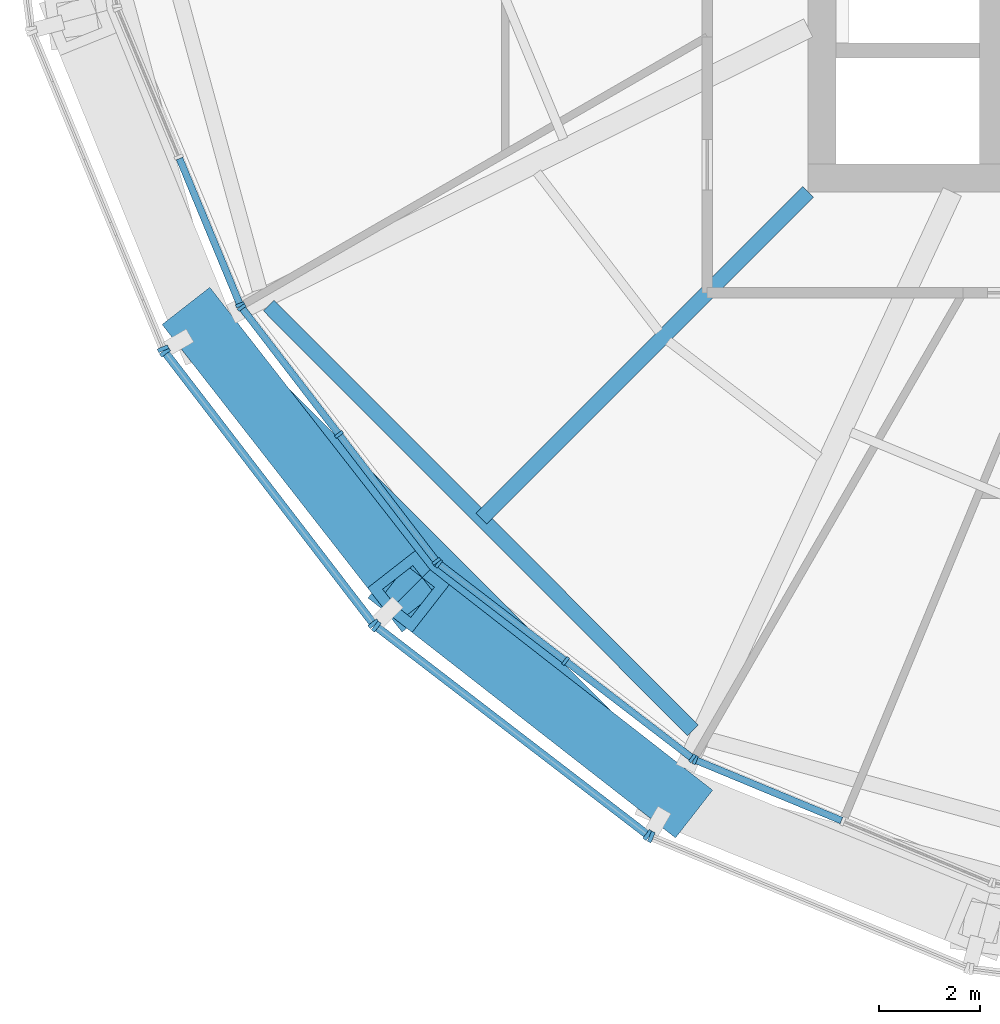
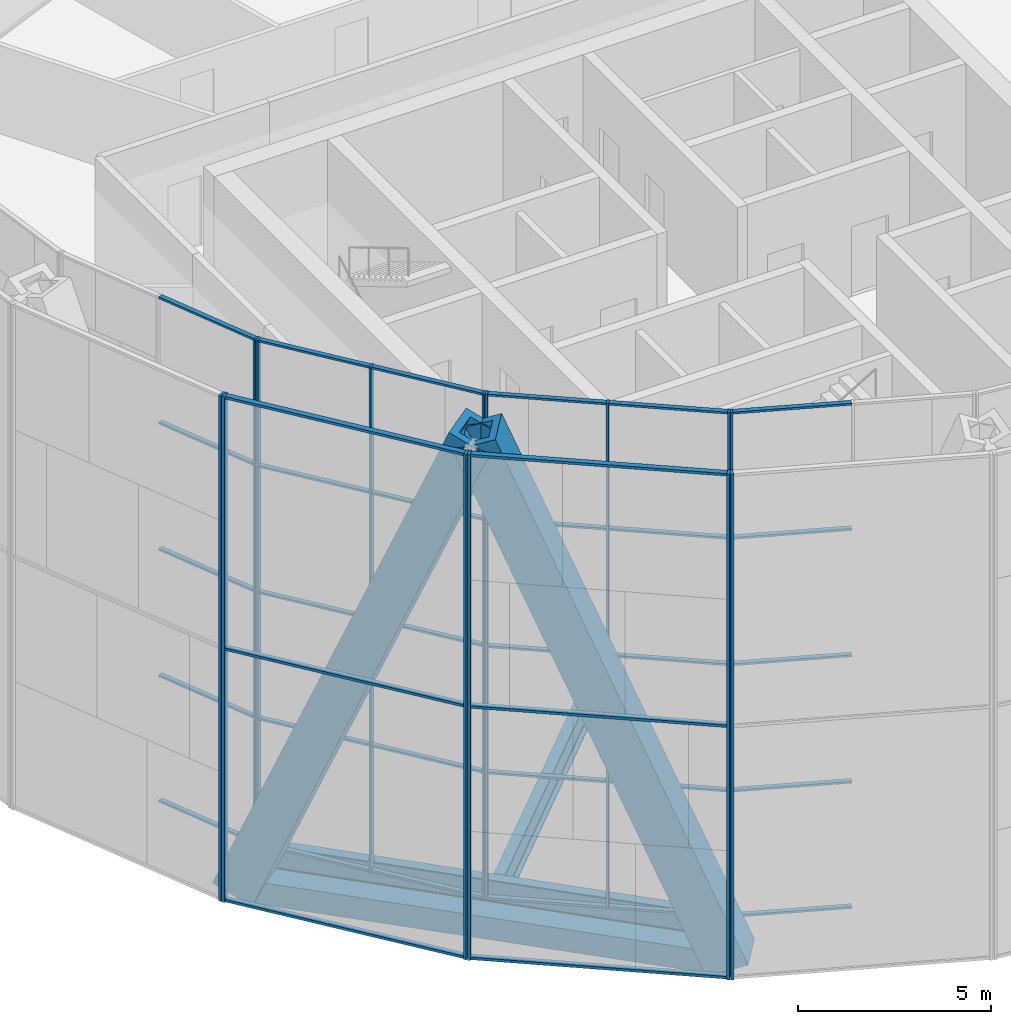
# One storey, part 1 of 29: 52 members, 3 beams, 8 elements without a shape of their own.
"""IFC4 building model written with IfcOpenShell, lengths in metres."""

import ifcopenshell
import ifcopenshell.guid

model = None  # the IFC model being written
_history = None  # IfcOwnerHistory: only IFC2X3 demands one
_inside = {}  # id of a spatial element -> (the spatial element, [elements in it])
_under = {}  # id of a project, library or spatial element -> (it, [spatial elements below it])
_declared = {}  # id of a project -> (the project, [libraries it declares])
_typed = {}  # id of a type object -> (the type object, [elements of that type])
_made_of = {}  # id of a material, layer set ... -> (it, [elements and type objects made of it])


def new_model(schema):
    """Start an empty IFC model of exactly this schema.

    Asked for "IFC4X3", IfcOpenShell would pick the latest addendum, in which some entities
    have other attributes; the version numbers below select the first issue.
    IFC2X3 requires an IfcOwnerHistory on every rooted entity: one is made here for all.
    """
    global model, _history
    if schema == "IFC4X3":
        model = ifcopenshell.file(schema_version=(4, 3, 0, 0))
    else:
        model = ifcopenshell.file(schema=schema)
    _inside.clear()
    _under.clear()
    _declared.clear()
    _typed.clear()
    _made_of.clear()
    _history = None
    if model.schema == "IFC2X3":
        org = make("IfcOrganization", Name="unknown")
        user = make(
            "IfcPersonAndOrganization",
            ThePerson=make("IfcPerson", FamilyName="unknown"),
            TheOrganization=org,
        )
        app = make(
            "IfcApplication",
            ApplicationDeveloper=org,
            Version="unknown",
            ApplicationFullName="unknown",
            ApplicationIdentifier="unknown",
        )
        _history = make(
            "IfcOwnerHistory",
            OwningUser=user,
            OwningApplication=app,
            ChangeAction="ADDED",
            CreationDate=0,
        )
    return model


def make(cls, **values):
    """One entity of the class cls with the attributes given. An attribute that is None is left unset."""
    return model.create_entity(
        cls, **{name: value for name, value in values.items() if value is not None}
    )


def rooted(cls, **values):
    """An entity with a GlobalId (a new one), such as an element, a storey or a relation."""
    return make(cls, GlobalId=ifcopenshell.guid.new(), OwnerHistory=_history, **values)


def si_unit(unit_type, name, prefix=None):
    """IfcSIUnit, for example si_unit("LENGTHUNIT", "METRE", prefix="MILLI")."""
    return make("IfcSIUnit", UnitType=unit_type, Prefix=prefix, Name=name)


def assignment(units):
    """IfcUnitAssignment: the units of a project."""
    return None if units is None else make("IfcUnitAssignment", Units=units)


def point(xyz):
    """IfcCartesianPoint."""
    return None if xyz is None else make("IfcCartesianPoint", Coordinates=xyz)


def direction(xyz):
    """IfcDirection."""
    return None if xyz is None else make("IfcDirection", DirectionRatios=xyz)


def frame(location, z_axis=None, x_axis=None):
    """IfcAxis2Placement3D, a coordinate frame: its origin and axes. An axis left out is left unset."""
    return make(
        "IfcAxis2Placement3D",
        Location=point(location),
        Axis=direction(z_axis),
        RefDirection=direction(x_axis),
    )


def frame_2d(location, x_axis=None):
    """IfcAxis2Placement2D, a coordinate frame in the plane: its origin and x axis."""
    return make(
        "IfcAxis2Placement2D", Location=point(location), RefDirection=direction(x_axis)
    )


def origin():
    """The frame at (0, 0, 0) with its axes left unset."""
    return frame((0.0, 0.0, 0.0))


def origin_2d():
    """The frame at (0, 0) in the plane with its x axis left unset."""
    return frame_2d((0.0, 0.0))


def place(relative_to, where):
    """IfcLocalPlacement: puts the frame where relative to a parent placement (None: the world)."""
    return make(
        "IfcLocalPlacement", PlacementRelTo=relative_to, RelativePlacement=where
    )


def context(
    kind, dimensions, precision=None, world=None, true_north=None, identifier=None
):
    """IfcGeometricRepresentationContext, for example the 3D "Model" context."""
    return make(
        "IfcGeometricRepresentationContext",
        ContextIdentifier=identifier,
        ContextType=kind,
        CoordinateSpaceDimension=dimensions,
        Precision=precision,
        WorldCoordinateSystem=world,
        TrueNorth=true_north,
    )


def subcontext(parent, identifier, kind, view, scale=None):
    """IfcGeometricRepresentationSubContext, for example "Body" below "Model"."""
    return make(
        "IfcGeometricRepresentationSubContext",
        ContextIdentifier=identifier,
        ContextType=kind,
        ParentContext=parent,
        TargetScale=scale,
        TargetView=view,
    )


def project(units=None, contexts=None):
    """IfcProject with its units and contexts."""
    return rooted(
        "IfcProject",
        Name="project",
        RepresentationContexts=contexts,
        UnitsInContext=assignment(units),
    )


def spatial(cls, under=None, at=None, **own):
    """A site, building, storey or space (cls), placed at a placement, below another one or the project."""
    s = rooted(cls, ObjectPlacement=at, **own)
    if under is not None:
        _under.setdefault(under.id(), (under, []))[1].append(s)
    return s


def profile(cls, at=None, kind="AREA", **sizes):
    """A parametric profile (cls). Its sizes go by their IFC names, for example OverallWidth=200.0."""
    return make(cls, ProfileType=kind, Position=at, **sizes)


def rectangle(**sizes):
    """IfcRectangleProfileDef."""
    return profile("IfcRectangleProfileDef", **sizes)


def hollow_rectangle(**sizes):
    """IfcRectangleHollowProfileDef."""
    return profile("IfcRectangleHollowProfileDef", **sizes)


def i_section(**sizes):
    """IfcIShapeProfileDef."""
    return profile("IfcIShapeProfileDef", **sizes)


def extrude(swept, where, along, depth):
    """IfcExtrudedAreaSolid: the profile swept, set in the frame where, extruded along a direction by depth."""
    return make(
        "IfcExtrudedAreaSolid",
        SweptArea=swept,
        Position=where,
        ExtrudedDirection=direction(along),
        Depth=depth,
    )


def shape(context_of_items, identifier, shape_type, items):
    """IfcShapeRepresentation: the items that make up one representation, for example the "Body"."""
    return make(
        "IfcShapeRepresentation",
        ContextOfItems=context_of_items,
        RepresentationIdentifier=identifier,
        RepresentationType=shape_type,
        Items=items,
    )


def material(Name=None, Category=None):
    """IfcMaterial."""
    return make("IfcMaterial", Name=Name, Category=Category)


def material_profile(
    of_material, cross_section, Name=None, Category=None, Priority=None
):
    """IfcMaterialProfile: a cross section and its material."""
    return make(
        "IfcMaterialProfile",
        Name=Name,
        Material=of_material,
        Profile=cross_section,
        Priority=Priority,
        Category=Category,
    )


def profile_set(profiles, Name=None, composite=None):
    """IfcMaterialProfileSet."""
    return make(
        "IfcMaterialProfileSet",
        Name=Name,
        MaterialProfiles=profiles,
        CompositeProfile=composite,
    )


def made_of(thing, what):
    """Note that an element or type object is made of a material, layer set ...; save() writes the relation."""
    if what is not None:
        _made_of.setdefault(what.id(), (what, []))[1].append(thing)
    return thing


def type_object(cls, material=None, **own):
    """A type object (cls), such as IfcWallType, which elements share."""
    return made_of(rooted(cls, **own), material)


def element(
    cls,
    number,
    at=None,
    inside=None,
    cuts=None,
    type_object=None,
    material=None,
    context=None,
    identifier="Body",
    shape_type=None,
    held_by="IfcProductDefinitionShape",
    body=None,
    shapes=None,
    **own,
):
    """One element of the class cls, such as IfcWall. Its Tag is "e" and its number.

    at: its placement. inside: the storey or other place that contains it. cuts: it is an
    opening in that element (IfcRelVoidsElement). A single representation is given by context,
    identifier, shape_type and body (its items); several are given by shapes. held_by: the class
    of the entity that holds the representations. save() writes the other relations.
    """
    e = rooted(cls, Tag="e%d" % number, ObjectPlacement=at, **own)
    if body is not None:
        shapes = [shape(context, identifier, shape_type, body)]
    if shapes is not None:
        e.Representation = make(held_by, Representations=shapes)
    if inside is not None:
        _inside.setdefault(inside.id(), (inside, []))[1].append(e)
    if cuts is not None:
        rooted(
            "IfcRelVoidsElement", RelatingBuildingElement=cuts, RelatedOpeningElement=e
        )
    if type_object is not None:
        _typed.setdefault(type_object.id(), (type_object, []))[1].append(e)
    return made_of(e, material)


def aggregate(whole, parts):
    """IfcRelAggregates: a whole, such as a stair, and the parts it consists of."""
    return rooted("IfcRelAggregates", RelatingObject=whole, RelatedObjects=parts)


def save(model, path):
    """Write the relations noted so far, then the file.

    IfcRelAggregates (storeys below a building ...), IfcRelContainedInSpatialStructure (elements
    in a storey), IfcRelDefinesByType, IfcRelAssociatesMaterial and IfcRelDeclares: one each for
    every whole, place, type object, material and project.
    """
    for whole, parts in _under.values():
        aggregate(whole, parts)
    for where, things in _inside.values():
        rooted(
            "IfcRelContainedInSpatialStructure",
            RelatedElements=things,
            RelatingStructure=where,
        )
    for kind, things in _typed.values():
        rooted("IfcRelDefinesByType", RelatedObjects=things, RelatingType=kind)
    for what, things in _made_of.values():
        rooted("IfcRelAssociatesMaterial", RelatedObjects=things, RelatingMaterial=what)
    for by, libraries in _declared.values():
        rooted("IfcRelDeclares", RelatingContext=by, RelatedDefinitions=libraries)
    model.write(path)


model = new_model("IFC4")

# Units and contexts
model_context = context("Model", 3, precision=1e-05, world=origin(), true_north=direction((0.0, 1.0)))
body_context = subcontext(model_context, "Body", "Model", "MODEL_VIEW")
ifc_project = project(units=[si_unit("LENGTHUNIT", "METRE"), si_unit("AREAUNIT", "SQUARE_METRE"), si_unit("VOLUMEUNIT", "CUBIC_METRE"), si_unit("PLANEANGLEUNIT", "RADIAN"), si_unit("MASSUNIT", "GRAM", prefix="KILO")], contexts=[model_context])

# Site, building, storey
site_placement = place(None, origin())
site = spatial("IfcSite", under=ifc_project, at=site_placement, CompositionType="ELEMENT")
building_placement = place(site_placement, origin())
building = spatial("IfcBuilding", under=site, at=building_placement, Name="Golbaran Civic Tower", CompositionType="ELEMENT")
storey_placement = place(building_placement, frame((0.0, 0.0, 118.0)))
storey = spatial("IfcBuildingStorey", under=building, at=storey_placement, Name="L28", CompositionType="ELEMENT", Elevation=118.0)

# Members
ifc_material_1 = material(Name="Steel S355", Category="steel")
ifc_material_profile_1 = material_profile(ifc_material_1, hollow_rectangle(XDim=1.199951171875, YDim=1.199951171875, WallThickness=0.219970703125, at=origin_2d()), Name="BOX 1200x1200x220")
ifc_profile_set_1 = profile_set([ifc_material_profile_1], Name="Steel S355")
member_type_1 = type_object("IfcMemberType", Name="DIAGRID DIAGONAL BOX 1200x1200x220", PredefinedType="BRACE", material=ifc_profile_set_1)
for number, where, z_axis, x_axis, name in (
    (1, (-21.990966796875, -12.696533203125, -0.7099609375), (0.235212402726, -0.301533756345, 0.923987293954), (0.788481923563, 0.615057929153, 0.0), "Diagonal D06-07R L28-L32"),
    (2, (-12.696533203125, -21.990966796875, -0.7099609375), (-0.301533756345, 0.235212402726, 0.923987293954), (-0.615057929153, -0.788481923563, 0.0), "Diagonal D06-08L L28-L32"),
):
    element("IfcMember", number, at=place(storey_placement, frame(where, z_axis=z_axis, x_axis=x_axis)), inside=storey, type_object=member_type_1, Name=name, PredefinedType="BRACE", context=body_context, shape_type="SweptSolid", body=[
        extrude(hollow_rectangle(XDim=1.199951171875, YDim=1.199951171875, WallThickness=0.219970703125, at=origin_2d()), origin(), (0.0, 0.0, 1.0), 17.316162109375),
    ])

# Beams
ifc_material_profile_2 = material_profile(ifc_material_1, hollow_rectangle(XDim=0.699951171875, YDim=0.699951171875, WallThickness=0.080078125, at=origin_2d()), Name="BOX 700x700x80")
ifc_profile_set_2 = profile_set([ifc_material_profile_2], Name="Steel S355")
beam_type_1 = type_object("IfcBeamType", Name="DIAGRID RING TIE BOX 700x700x80", PredefinedType="BEAM", material=ifc_profile_set_2)
beam_1_placement = place(storey_placement, frame((-21.990966796875, -12.696533203125, -0.7099609375), z_axis=(0.707106781187, -0.707106781187, 0.0), x_axis=(0.707106781187, 0.707106781187, 0.0)))
element("IfcBeam", 3, at=beam_1_placement, inside=storey, type_object=beam_type_1, Name="Ring tie 210.00 L28", PredefinedType="BEAM", context=body_context, shape_type="SweptSolid", body=[
    extrude(hollow_rectangle(XDim=0.699951171875, YDim=0.699951171875, WallThickness=0.080078125, at=origin_2d()), origin(), (0.0, 0.0, 1.0), 13.144287109375),
])
ifc_material_profile_3 = material_profile(ifc_material_1, i_section(OverallWidth=0.300048828125, OverallDepth=0.800048828125, WebThickness=0.017578125, FlangeThickness=0.032958984375, FilletRadius=0.030029296875, at=origin_2d()), Name="HEB 800")
ifc_profile_set_3 = profile_set([ifc_material_profile_3], Name="Steel S355")
beam_type_2 = type_object("IfcBeamType", Name="EDGE BEAM HEB 800", PredefinedType="BEAM", material=ifc_profile_set_3)
beam_2_placement = place(storey_placement, frame((-20.690673828125, -12.252685546875, -0.60009765625), z_axis=(0.70660386413, -0.707609340806, 0.0), x_axis=(0.707609340806, 0.70660386413, 0.0)))
element("IfcBeam", 4, at=beam_2_placement, inside=storey, type_object=beam_type_2, Name="Edge beam 210.00 L28", PredefinedType="BEAM", context=body_context, shape_type="SweptSolid", body=[
    extrude(i_section(OverallWidth=0.300048828125, OverallDepth=0.800048828125, WebThickness=0.017578125, FlangeThickness=0.032958984375, FilletRadius=0.030029296875, at=origin_2d()), origin(), (0.0, 0.0, 1.0), 11.897705078125),
])

# Curtain wall, member
ifc_material_2 = material(Name="Aluminium and glass", Category="aluminium")
curtain_wall_type_1 = type_object("IfcCurtainWallType", Name="INNER SKIN CURTAIN WALL", PredefinedType="NOTDEFINED", material=ifc_material_2)
curtain_wall_1_placement = place(storey_placement, origin())
curtain_wall_1 = element("IfcCurtainWall", 5, at=curtain_wall_1_placement, inside=storey, type_object=curtain_wall_type_1, Name="Inner skin L28 facet 14 CW1", ObjectType="INNER SKIN", PredefinedType="USERDEFINED")
ifc_material_3 = material(Name="Aluminium", Category="aluminium")
ifc_material_profile_4 = material_profile(ifc_material_3, rectangle(XDim=0.179931640625, YDim=0.06494140625, at=origin_2d()), Name="INNER SKIN CURTAIN WALL MULLION")
ifc_profile_set_4 = profile_set([ifc_material_profile_4], Name="Aluminium")
member_type_2 = type_object("IfcMemberType", Name="INNER SKIN CURTAIN WALL MULLION", PredefinedType="MULLION", material=ifc_profile_set_4)
member_1_placement = place(storey_placement, frame((-21.259521484375, -12.237060546875, 0.0), z_axis=(0.0, 0.0, 1.0), x_axis=(0.923879532485, 0.38268343243, 0.0)))
member_1 = element("IfcMember", 6, at=member_1_placement, type_object=member_type_2, Name="CW1 mullion 3", PredefinedType="MULLION", context=body_context, shape_type="SweptSolid", body=[
    extrude(rectangle(XDim=0.179931640625, YDim=0.06494140625, at=origin_2d()), origin(), (0.0, 0.0, 1.0), 16.0),
])

# Curtain wall, members
curtain_wall_2_placement = place(storey_placement, origin())
curtain_wall_2 = element("IfcCurtainWall", 7, at=curtain_wall_2_placement, inside=storey, type_object=curtain_wall_type_1, Name="Inner skin L28 facet 15 CW1", ObjectType="INNER SKIN", PredefinedType="USERDEFINED")
member_2_placement = place(storey_placement, frame((-21.227294921875, -12.292724609375, 0.0), z_axis=(0.0, 0.0, 1.0), x_axis=(0.793353340376, 0.608761428898, 0.0)))
member_2 = element("IfcMember", 8, at=member_2_placement, type_object=member_type_2, Name="CW1 mullion 1", PredefinedType="MULLION", context=body_context, shape_type="SweptSolid", body=[
    extrude(rectangle(XDim=0.179931640625, YDim=0.06494140625, at=origin_2d()), origin(), (0.0, 0.0, 1.0), 16.0),
])
member_3_placement = place(storey_placement, frame((-19.297607421875, -14.8076171875, 0.0), z_axis=(0.0, 0.0, 1.0), x_axis=(0.793353340376, 0.608761428898, 0.0)))
member_3 = element("IfcMember", 9, at=member_3_placement, type_object=member_type_2, Name="CW1 mullion 2", PredefinedType="MULLION", context=body_context, shape_type="SweptSolid", body=[
    extrude(rectangle(XDim=0.179931640625, YDim=0.06494140625, at=origin_2d()), origin(), (0.0, 0.0, 1.0), 16.0),
])
member_4_placement = place(storey_placement, frame((-17.367919921875, -17.322265625, 0.0), z_axis=(0.0, 0.0, 1.0), x_axis=(0.793353340376, 0.608761428898, 0.0)))
member_4 = element("IfcMember", 10, at=member_4_placement, type_object=member_type_2, Name="CW1 mullion 3", PredefinedType="MULLION", context=body_context, shape_type="SweptSolid", body=[
    extrude(rectangle(XDim=0.179931640625, YDim=0.06494140625, at=origin_2d()), origin(), (0.0, 0.0, 1.0), 16.0),
])

curtain_wall_3_placement = place(storey_placement, origin())
curtain_wall_3 = element("IfcCurtainWall", 11, at=curtain_wall_3_placement, inside=storey, type_object=curtain_wall_type_1, Name="Inner skin L28 facet 16 CW1", ObjectType="INNER SKIN", PredefinedType="USERDEFINED")
member_5_placement = place(storey_placement, frame((-17.322265625, -17.367919921875, 0.0), z_axis=(0.0, 0.0, 1.0), x_axis=(0.608761428898, 0.793353340376, 0.0)))
member_5 = element("IfcMember", 12, at=member_5_placement, type_object=member_type_2, Name="CW1 mullion 1", PredefinedType="MULLION", context=body_context, shape_type="SweptSolid", body=[
    extrude(rectangle(XDim=0.179931640625, YDim=0.06494140625, at=origin_2d()), origin(), (0.0, 0.0, 1.0), 16.0),
])
member_6_placement = place(storey_placement, frame((-14.8076171875, -19.297607421875, 0.0), z_axis=(0.0, 0.0, 1.0), x_axis=(0.608761428898, 0.793353340376, 0.0)))
member_6 = element("IfcMember", 13, at=member_6_placement, type_object=member_type_2, Name="CW1 mullion 2", PredefinedType="MULLION", context=body_context, shape_type="SweptSolid", body=[
    extrude(rectangle(XDim=0.179931640625, YDim=0.06494140625, at=origin_2d()), origin(), (0.0, 0.0, 1.0), 16.0),
])
member_7_placement = place(storey_placement, frame((-12.292724609375, -21.227294921875, 0.0), z_axis=(0.0, 0.0, 1.0), x_axis=(0.608761428898, 0.793353340376, 0.0)))
member_7 = element("IfcMember", 14, at=member_7_placement, type_object=member_type_2, Name="CW1 mullion 3", PredefinedType="MULLION", context=body_context, shape_type="SweptSolid", body=[
    extrude(rectangle(XDim=0.179931640625, YDim=0.06494140625, at=origin_2d()), origin(), (0.0, 0.0, 1.0), 16.0),
])

# Curtain wall, member
curtain_wall_4_placement = place(storey_placement, origin())
curtain_wall_4 = element("IfcCurtainWall", 15, at=curtain_wall_4_placement, inside=storey, type_object=curtain_wall_type_1, Name="Inner skin L28 facet 17 CW1", ObjectType="INNER SKIN", PredefinedType="USERDEFINED")
member_8_placement = place(storey_placement, frame((-12.237060546875, -21.259521484375, 0.0), z_axis=(0.0, 0.0, 1.0), x_axis=(0.38268343243, 0.923879532485, 0.0)))
member_8 = element("IfcMember", 16, at=member_8_placement, type_object=member_type_2, Name="CW1 mullion 1", PredefinedType="MULLION", context=body_context, shape_type="SweptSolid", body=[
    extrude(rectangle(XDim=0.179931640625, YDim=0.06494140625, at=origin_2d()), origin(), (0.0, 0.0, 1.0), 16.0),
])

# Member
ifc_material_profile_5 = material_profile(ifc_material_3, rectangle(XDim=0.139892578125, YDim=0.06494140625, at=origin_2d()), Name="INNER SKIN CURTAIN WALL TRANSOM")
ifc_profile_set_5 = profile_set([ifc_material_profile_5], Name="Aluminium")
member_type_3 = type_object("IfcMemberType", Name="INNER SKIN CURTAIN WALL TRANSOM", PredefinedType="USERDEFINED", material=ifc_profile_set_5)
member_9_placement = place(storey_placement, frame((-22.460205078125, -9.33837890625, 0.032470703125), z_axis=(0.382682804327, -0.923879792653, 0.0), x_axis=(0.923879792653, 0.382682804327, 0.0)))
member_9 = element("IfcMember", 17, at=member_9_placement, type_object=member_type_3, Name="CW1 transom 2.1", ObjectType="TRANSOM", PredefinedType="USERDEFINED", context=body_context, shape_type="SweptSolid", body=[
    extrude(rectangle(XDim=0.139892578125, YDim=0.06494140625, at=origin_2d()), origin(), (0.0, 0.0, 1.0), 3.10498046875),
])

member_10_placement = place(storey_placement, frame((-22.460205078125, -9.33837890625, 4.0), z_axis=(0.382682804327, -0.923879792653, 0.0), x_axis=(0.923879792653, 0.382682804327, 0.0)))
member_10 = element("IfcMember", 18, at=member_10_placement, type_object=member_type_3, Name="CW1 transom 2.2", ObjectType="TRANSOM", PredefinedType="USERDEFINED", context=body_context, shape_type="SweptSolid", body=[
    extrude(rectangle(XDim=0.139892578125, YDim=0.06494140625, at=origin_2d()), origin(), (0.0, 0.0, 1.0), 3.10498046875),
])

member_11_placement = place(storey_placement, frame((-22.460205078125, -9.33837890625, 8.0), z_axis=(0.382682804327, -0.923879792653, 0.0), x_axis=(0.923879792653, 0.382682804327, 0.0)))
member_11 = element("IfcMember", 19, at=member_11_placement, type_object=member_type_3, Name="CW1 transom 2.3", ObjectType="TRANSOM", PredefinedType="USERDEFINED", context=body_context, shape_type="SweptSolid", body=[
    extrude(rectangle(XDim=0.139892578125, YDim=0.06494140625, at=origin_2d()), origin(), (0.0, 0.0, 1.0), 3.10498046875),
])

member_12_placement = place(storey_placement, frame((-22.460205078125, -9.33837890625, 12.0), z_axis=(0.382682804327, -0.923879792653, 0.0), x_axis=(0.923879792653, 0.382682804327, 0.0)))
member_12 = element("IfcMember", 20, at=member_12_placement, type_object=member_type_3, Name="CW1 transom 2.4", ObjectType="TRANSOM", PredefinedType="USERDEFINED", context=body_context, shape_type="SweptSolid", body=[
    extrude(rectangle(XDim=0.139892578125, YDim=0.06494140625, at=origin_2d()), origin(), (0.0, 0.0, 1.0), 3.10498046875),
])

member_13_placement = place(storey_placement, frame((-22.460205078125, -9.33837890625, 15.967529296875), z_axis=(0.382682804327, -0.923879792653, 0.0), x_axis=(0.923879792653, 0.382682804327, 0.0)))
member_13 = element("IfcMember", 21, at=member_13_placement, type_object=member_type_3, Name="CW1 transom 2.5", ObjectType="TRANSOM", PredefinedType="USERDEFINED", context=body_context, shape_type="SweptSolid", body=[
    extrude(rectangle(XDim=0.139892578125, YDim=0.06494140625, at=origin_2d()), origin(), (0.0, 0.0, 1.0), 3.10498046875),
])

aggregate(curtain_wall_1, [member_1, member_9, member_10, member_11, member_12, member_13])

member_14_placement = place(storey_placement, frame((-21.20751953125, -12.318603515625, 0.032470703125), z_axis=(0.608783107568, -0.793336705277, 0.0), x_axis=(0.793336705277, 0.608783107568, 0.0)))
member_14 = element("IfcMember", 22, at=member_14_placement, type_object=member_type_3, Name="CW1 transom 1.1", ObjectType="TRANSOM", PredefinedType="USERDEFINED", context=body_context, shape_type="SweptSolid", body=[
    extrude(rectangle(XDim=0.139892578125, YDim=0.06494140625, at=origin_2d()), origin(), (0.0, 0.0, 1.0), 3.104736328125),
])

member_15_placement = place(storey_placement, frame((-21.20751953125, -12.318603515625, 4.0), z_axis=(0.608783107568, -0.793336705277, 0.0), x_axis=(0.793336705277, 0.608783107568, 0.0)))
member_15 = element("IfcMember", 23, at=member_15_placement, type_object=member_type_3, Name="CW1 transom 1.2", ObjectType="TRANSOM", PredefinedType="USERDEFINED", context=body_context, shape_type="SweptSolid", body=[
    extrude(rectangle(XDim=0.139892578125, YDim=0.06494140625, at=origin_2d()), origin(), (0.0, 0.0, 1.0), 3.104736328125),
])

member_16_placement = place(storey_placement, frame((-21.20751953125, -12.318603515625, 8.0), z_axis=(0.608783107568, -0.793336705277, 0.0), x_axis=(0.793336705277, 0.608783107568, 0.0)))
member_16 = element("IfcMember", 24, at=member_16_placement, type_object=member_type_3, Name="CW1 transom 1.3", ObjectType="TRANSOM", PredefinedType="USERDEFINED", context=body_context, shape_type="SweptSolid", body=[
    extrude(rectangle(XDim=0.139892578125, YDim=0.06494140625, at=origin_2d()), origin(), (0.0, 0.0, 1.0), 3.104736328125),
])

member_17_placement = place(storey_placement, frame((-21.20751953125, -12.318603515625, 12.0), z_axis=(0.608783107568, -0.793336705277, 0.0), x_axis=(0.793336705277, 0.608783107568, 0.0)))
member_17 = element("IfcMember", 25, at=member_17_placement, type_object=member_type_3, Name="CW1 transom 1.4", ObjectType="TRANSOM", PredefinedType="USERDEFINED", context=body_context, shape_type="SweptSolid", body=[
    extrude(rectangle(XDim=0.139892578125, YDim=0.06494140625, at=origin_2d()), origin(), (0.0, 0.0, 1.0), 3.104736328125),
])

member_18_placement = place(storey_placement, frame((-21.20751953125, -12.318603515625, 15.967529296875), z_axis=(0.608783107568, -0.793336705277, 0.0), x_axis=(0.793336705277, 0.608783107568, 0.0)))
member_18 = element("IfcMember", 26, at=member_18_placement, type_object=member_type_3, Name="CW1 transom 1.5", ObjectType="TRANSOM", PredefinedType="USERDEFINED", context=body_context, shape_type="SweptSolid", body=[
    extrude(rectangle(XDim=0.139892578125, YDim=0.06494140625, at=origin_2d()), origin(), (0.0, 0.0, 1.0), 3.104736328125),
])

member_19_placement = place(storey_placement, frame((-19.27783203125, -14.833251953125, 0.032470703125), z_axis=(0.60874513146, -0.793365845574, 0.0), x_axis=(0.793365845574, 0.60874513146, 0.0)))
member_19 = element("IfcMember", 27, at=member_19_placement, type_object=member_type_3, Name="CW1 transom 2.1", ObjectType="TRANSOM", PredefinedType="USERDEFINED", context=body_context, shape_type="SweptSolid", body=[
    extrude(rectangle(XDim=0.139892578125, YDim=0.06494140625, at=origin_2d()), origin(), (0.0, 0.0, 1.0), 3.10498046875),
])

member_20_placement = place(storey_placement, frame((-19.27783203125, -14.833251953125, 4.0), z_axis=(0.60874513146, -0.793365845574, 0.0), x_axis=(0.793365845574, 0.60874513146, 0.0)))
member_20 = element("IfcMember", 28, at=member_20_placement, type_object=member_type_3, Name="CW1 transom 2.2", ObjectType="TRANSOM", PredefinedType="USERDEFINED", context=body_context, shape_type="SweptSolid", body=[
    extrude(rectangle(XDim=0.139892578125, YDim=0.06494140625, at=origin_2d()), origin(), (0.0, 0.0, 1.0), 3.10498046875),
])

member_21_placement = place(storey_placement, frame((-19.27783203125, -14.833251953125, 8.0), z_axis=(0.60874513146, -0.793365845574, 0.0), x_axis=(0.793365845574, 0.60874513146, 0.0)))
member_21 = element("IfcMember", 29, at=member_21_placement, type_object=member_type_3, Name="CW1 transom 2.3", ObjectType="TRANSOM", PredefinedType="USERDEFINED", context=body_context, shape_type="SweptSolid", body=[
    extrude(rectangle(XDim=0.139892578125, YDim=0.06494140625, at=origin_2d()), origin(), (0.0, 0.0, 1.0), 3.10498046875),
])

member_22_placement = place(storey_placement, frame((-19.27783203125, -14.833251953125, 12.0), z_axis=(0.60874513146, -0.793365845574, 0.0), x_axis=(0.793365845574, 0.60874513146, 0.0)))
member_22 = element("IfcMember", 30, at=member_22_placement, type_object=member_type_3, Name="CW1 transom 2.4", ObjectType="TRANSOM", PredefinedType="USERDEFINED", context=body_context, shape_type="SweptSolid", body=[
    extrude(rectangle(XDim=0.139892578125, YDim=0.06494140625, at=origin_2d()), origin(), (0.0, 0.0, 1.0), 3.10498046875),
])

member_23_placement = place(storey_placement, frame((-19.27783203125, -14.833251953125, 15.967529296875), z_axis=(0.60874513146, -0.793365845574, 0.0), x_axis=(0.793365845574, 0.60874513146, 0.0)))
member_23 = element("IfcMember", 31, at=member_23_placement, type_object=member_type_3, Name="CW1 transom 2.5", ObjectType="TRANSOM", PredefinedType="USERDEFINED", context=body_context, shape_type="SweptSolid", body=[
    extrude(rectangle(XDim=0.139892578125, YDim=0.06494140625, at=origin_2d()), origin(), (0.0, 0.0, 1.0), 3.10498046875),
])

aggregate(curtain_wall_2, [member_2, member_3, member_4, member_14, member_15, member_16, member_17, member_18, member_19, member_20, member_21, member_22, member_23])

member_24_placement = place(storey_placement, frame((-17.296630859375, -17.3876953125, 0.032470703125), z_axis=(0.793365845574, -0.60874513146, 0.0), x_axis=(0.60874513146, 0.793365845574, 0.0)))
member_24 = element("IfcMember", 32, at=member_24_placement, type_object=member_type_3, Name="CW1 transom 1.1", ObjectType="TRANSOM", PredefinedType="USERDEFINED", context=body_context, shape_type="SweptSolid", body=[
    extrude(rectangle(XDim=0.139892578125, YDim=0.06494140625, at=origin_2d()), origin(), (0.0, 0.0, 1.0), 3.10498046875),
])

member_25_placement = place(storey_placement, frame((-17.296630859375, -17.3876953125, 4.0), z_axis=(0.793365845574, -0.60874513146, 0.0), x_axis=(0.60874513146, 0.793365845574, 0.0)))
member_25 = element("IfcMember", 33, at=member_25_placement, type_object=member_type_3, Name="CW1 transom 1.2", ObjectType="TRANSOM", PredefinedType="USERDEFINED", context=body_context, shape_type="SweptSolid", body=[
    extrude(rectangle(XDim=0.139892578125, YDim=0.06494140625, at=origin_2d()), origin(), (0.0, 0.0, 1.0), 3.10498046875),
])

member_26_placement = place(storey_placement, frame((-17.296630859375, -17.3876953125, 8.0), z_axis=(0.793365845574, -0.60874513146, 0.0), x_axis=(0.60874513146, 0.793365845574, 0.0)))
member_26 = element("IfcMember", 34, at=member_26_placement, type_object=member_type_3, Name="CW1 transom 1.3", ObjectType="TRANSOM", PredefinedType="USERDEFINED", context=body_context, shape_type="SweptSolid", body=[
    extrude(rectangle(XDim=0.139892578125, YDim=0.06494140625, at=origin_2d()), origin(), (0.0, 0.0, 1.0), 3.10498046875),
])

member_27_placement = place(storey_placement, frame((-17.296630859375, -17.3876953125, 12.0), z_axis=(0.793365845574, -0.60874513146, 0.0), x_axis=(0.60874513146, 0.793365845574, 0.0)))
member_27 = element("IfcMember", 35, at=member_27_placement, type_object=member_type_3, Name="CW1 transom 1.4", ObjectType="TRANSOM", PredefinedType="USERDEFINED", context=body_context, shape_type="SweptSolid", body=[
    extrude(rectangle(XDim=0.139892578125, YDim=0.06494140625, at=origin_2d()), origin(), (0.0, 0.0, 1.0), 3.10498046875),
])

member_28_placement = place(storey_placement, frame((-17.296630859375, -17.3876953125, 15.967529296875), z_axis=(0.793365845574, -0.60874513146, 0.0), x_axis=(0.60874513146, 0.793365845574, 0.0)))
member_28 = element("IfcMember", 36, at=member_28_placement, type_object=member_type_3, Name="CW1 transom 1.5", ObjectType="TRANSOM", PredefinedType="USERDEFINED", context=body_context, shape_type="SweptSolid", body=[
    extrude(rectangle(XDim=0.139892578125, YDim=0.06494140625, at=origin_2d()), origin(), (0.0, 0.0, 1.0), 3.10498046875),
])

member_29_placement = place(storey_placement, frame((-14.78173828125, -19.3173828125, 0.032470703125), z_axis=(0.793336705277, -0.608783107568, 0.0), x_axis=(0.608783107568, 0.793336705277, 0.0)))
member_29 = element("IfcMember", 37, at=member_29_placement, type_object=member_type_3, Name="CW1 transom 2.1", ObjectType="TRANSOM", PredefinedType="USERDEFINED", context=body_context, shape_type="SweptSolid", body=[
    extrude(rectangle(XDim=0.139892578125, YDim=0.06494140625, at=origin_2d()), origin(), (0.0, 0.0, 1.0), 3.104736328125),
])

member_30_placement = place(storey_placement, frame((-14.78173828125, -19.3173828125, 4.0), z_axis=(0.793336705277, -0.608783107568, 0.0), x_axis=(0.608783107568, 0.793336705277, 0.0)))
member_30 = element("IfcMember", 38, at=member_30_placement, type_object=member_type_3, Name="CW1 transom 2.2", ObjectType="TRANSOM", PredefinedType="USERDEFINED", context=body_context, shape_type="SweptSolid", body=[
    extrude(rectangle(XDim=0.139892578125, YDim=0.06494140625, at=origin_2d()), origin(), (0.0, 0.0, 1.0), 3.104736328125),
])

member_31_placement = place(storey_placement, frame((-14.78173828125, -19.3173828125, 8.0), z_axis=(0.793336705277, -0.608783107568, 0.0), x_axis=(0.608783107568, 0.793336705277, 0.0)))
member_31 = element("IfcMember", 39, at=member_31_placement, type_object=member_type_3, Name="CW1 transom 2.3", ObjectType="TRANSOM", PredefinedType="USERDEFINED", context=body_context, shape_type="SweptSolid", body=[
    extrude(rectangle(XDim=0.139892578125, YDim=0.06494140625, at=origin_2d()), origin(), (0.0, 0.0, 1.0), 3.104736328125),
])

member_32_placement = place(storey_placement, frame((-14.78173828125, -19.3173828125, 12.0), z_axis=(0.793336705277, -0.608783107568, 0.0), x_axis=(0.608783107568, 0.793336705277, 0.0)))
member_32 = element("IfcMember", 40, at=member_32_placement, type_object=member_type_3, Name="CW1 transom 2.4", ObjectType="TRANSOM", PredefinedType="USERDEFINED", context=body_context, shape_type="SweptSolid", body=[
    extrude(rectangle(XDim=0.139892578125, YDim=0.06494140625, at=origin_2d()), origin(), (0.0, 0.0, 1.0), 3.104736328125),
])

member_33_placement = place(storey_placement, frame((-14.78173828125, -19.3173828125, 15.967529296875), z_axis=(0.793336705277, -0.608783107568, 0.0), x_axis=(0.608783107568, 0.793336705277, 0.0)))
member_33 = element("IfcMember", 41, at=member_33_placement, type_object=member_type_3, Name="CW1 transom 2.5", ObjectType="TRANSOM", PredefinedType="USERDEFINED", context=body_context, shape_type="SweptSolid", body=[
    extrude(rectangle(XDim=0.139892578125, YDim=0.06494140625, at=origin_2d()), origin(), (0.0, 0.0, 1.0), 3.104736328125),
])

aggregate(curtain_wall_3, [member_5, member_6, member_7, member_24, member_25, member_26, member_27, member_28, member_29, member_30, member_31, member_32, member_33])

member_34_placement = place(storey_placement, frame((-12.20703125, -21.27197265625, 0.032470703125), z_axis=(0.923879792653, -0.382682804327, 0.0), x_axis=(0.382682804327, 0.923879792653, 0.0)))
member_34 = element("IfcMember", 42, at=member_34_placement, type_object=member_type_3, Name="CW1 transom 1.1", ObjectType="TRANSOM", PredefinedType="USERDEFINED", context=body_context, shape_type="SweptSolid", body=[
    extrude(rectangle(XDim=0.139892578125, YDim=0.06494140625, at=origin_2d()), origin(), (0.0, 0.0, 1.0), 3.10498046875),
])

member_35_placement = place(storey_placement, frame((-12.20703125, -21.27197265625, 4.0), z_axis=(0.923879792653, -0.382682804327, 0.0), x_axis=(0.382682804327, 0.923879792653, 0.0)))
member_35 = element("IfcMember", 43, at=member_35_placement, type_object=member_type_3, Name="CW1 transom 1.2", ObjectType="TRANSOM", PredefinedType="USERDEFINED", context=body_context, shape_type="SweptSolid", body=[
    extrude(rectangle(XDim=0.139892578125, YDim=0.06494140625, at=origin_2d()), origin(), (0.0, 0.0, 1.0), 3.10498046875),
])

member_36_placement = place(storey_placement, frame((-12.20703125, -21.27197265625, 8.0), z_axis=(0.923879792653, -0.382682804327, 0.0), x_axis=(0.382682804327, 0.923879792653, 0.0)))
member_36 = element("IfcMember", 44, at=member_36_placement, type_object=member_type_3, Name="CW1 transom 1.3", ObjectType="TRANSOM", PredefinedType="USERDEFINED", context=body_context, shape_type="SweptSolid", body=[
    extrude(rectangle(XDim=0.139892578125, YDim=0.06494140625, at=origin_2d()), origin(), (0.0, 0.0, 1.0), 3.10498046875),
])

member_37_placement = place(storey_placement, frame((-12.20703125, -21.27197265625, 12.0), z_axis=(0.923879792653, -0.382682804327, 0.0), x_axis=(0.382682804327, 0.923879792653, 0.0)))
member_37 = element("IfcMember", 45, at=member_37_placement, type_object=member_type_3, Name="CW1 transom 1.4", ObjectType="TRANSOM", PredefinedType="USERDEFINED", context=body_context, shape_type="SweptSolid", body=[
    extrude(rectangle(XDim=0.139892578125, YDim=0.06494140625, at=origin_2d()), origin(), (0.0, 0.0, 1.0), 3.10498046875),
])

member_38_placement = place(storey_placement, frame((-12.20703125, -21.27197265625, 15.967529296875), z_axis=(0.923879792653, -0.382682804327, 0.0), x_axis=(0.382682804327, 0.923879792653, 0.0)))
member_38 = element("IfcMember", 46, at=member_38_placement, type_object=member_type_3, Name="CW1 transom 1.5", ObjectType="TRANSOM", PredefinedType="USERDEFINED", context=body_context, shape_type="SweptSolid", body=[
    extrude(rectangle(XDim=0.139892578125, YDim=0.06494140625, at=origin_2d()), origin(), (0.0, 0.0, 1.0), 3.10498046875),
])

aggregate(curtain_wall_4, [member_8, member_34, member_35, member_36, member_37, member_38])

# Curtain wall, member
curtain_wall_type_2 = type_object("IfcCurtainWallType", Name="OUTER SKIN TERRACOTTA SCREEN", PredefinedType="NOTDEFINED", material=ifc_material_2)
curtain_wall_5_placement = place(storey_placement, origin())
curtain_wall_5 = element("IfcCurtainWall", 47, at=curtain_wall_5_placement, inside=storey, type_object=curtain_wall_type_2, Name="Outer skin L28 facet 14 CW3", ObjectType="OUTER SKIN", PredefinedType="USERDEFINED")
ifc_material_profile_6 = material_profile(ifc_material_3, rectangle(XDim=0.219970703125, YDim=0.080078125, at=origin_2d()), Name="OUTER SKIN TERRACOTTA SCREEN MULLION")
ifc_profile_set_6 = profile_set([ifc_material_profile_6], Name="Aluminium")
member_type_4 = type_object("IfcMemberType", Name="OUTER SKIN TERRACOTTA SCREEN MULLION", PredefinedType="MULLION", material=ifc_profile_set_6)
member_39_placement = place(storey_placement, frame((-22.78564453125, -13.109619140625, -0.7099609375), z_axis=(0.0, 0.0, 1.0), x_axis=(0.923879532505, 0.382683432381, 0.0)))
member_39 = element("IfcMember", 48, at=member_39_placement, type_object=member_type_4, Name="CW3 mullion 2", PredefinedType="MULLION", context=body_context, shape_type="SweptSolid", body=[
    extrude(rectangle(XDim=0.219970703125, YDim=0.080078125, at=origin_2d()), origin(), (0.0, 0.0, 1.0), 16.0),
])
aggregate(curtain_wall_5, [member_39])

# Curtain wall, members
curtain_wall_6_placement = place(storey_placement, origin())
curtain_wall_6 = element("IfcCurtainWall", 49, at=curtain_wall_6_placement, inside=storey, type_object=curtain_wall_type_2, Name="Outer skin L28 facet 15 CW3", ObjectType="OUTER SKIN", PredefinedType="USERDEFINED")
member_40_placement = place(storey_placement, frame((-22.74609375, -13.17822265625, -0.7099609375), z_axis=(0.0, 0.0, 1.0), x_axis=(0.793353340302, 0.608761428995, 0.0)))
member_40 = element("IfcMember", 50, at=member_40_placement, type_object=member_type_4, Name="CW3 mullion 1", PredefinedType="MULLION", context=body_context, shape_type="SweptSolid", body=[
    extrude(rectangle(XDim=0.219970703125, YDim=0.080078125, at=origin_2d()), origin(), (0.0, 0.0, 1.0), 16.0),
])
member_41_placement = place(storey_placement, frame((-18.6162109375, -18.560302734375, -0.7099609375), z_axis=(0.0, 0.0, 1.0), x_axis=(0.793353340302, 0.608761428995, 0.0)))
member_41 = element("IfcMember", 51, at=member_41_placement, type_object=member_type_4, Name="CW3 mullion 2", PredefinedType="MULLION", context=body_context, shape_type="SweptSolid", body=[
    extrude(rectangle(XDim=0.219970703125, YDim=0.080078125, at=origin_2d()), origin(), (0.0, 0.0, 1.0), 16.0),
])

curtain_wall_7_placement = place(storey_placement, origin())
curtain_wall_7 = element("IfcCurtainWall", 52, at=curtain_wall_7_placement, inside=storey, type_object=curtain_wall_type_2, Name="Outer skin L28 facet 16 CW3", ObjectType="OUTER SKIN", PredefinedType="USERDEFINED")
member_42_placement = place(storey_placement, frame((-18.560302734375, -18.6162109375, -0.7099609375), z_axis=(0.0, 0.0, 1.0), x_axis=(0.608761428995, 0.793353340302, 0.0)))
member_42 = element("IfcMember", 53, at=member_42_placement, type_object=member_type_4, Name="CW3 mullion 1", PredefinedType="MULLION", context=body_context, shape_type="SweptSolid", body=[
    extrude(rectangle(XDim=0.219970703125, YDim=0.080078125, at=origin_2d()), origin(), (0.0, 0.0, 1.0), 16.0),
])
member_43_placement = place(storey_placement, frame((-13.17822265625, -22.74609375, -0.7099609375), z_axis=(0.0, 0.0, 1.0), x_axis=(0.608761428995, 0.793353340302, 0.0)))
member_43 = element("IfcMember", 54, at=member_43_placement, type_object=member_type_4, Name="CW3 mullion 2", PredefinedType="MULLION", context=body_context, shape_type="SweptSolid", body=[
    extrude(rectangle(XDim=0.219970703125, YDim=0.080078125, at=origin_2d()), origin(), (0.0, 0.0, 1.0), 16.0),
])

# Curtain wall, member
curtain_wall_8_placement = place(storey_placement, origin())
curtain_wall_8 = element("IfcCurtainWall", 55, at=curtain_wall_8_placement, inside=storey, type_object=curtain_wall_type_2, Name="Outer skin L28 facet 17 CW3", ObjectType="OUTER SKIN", PredefinedType="USERDEFINED")
member_44_placement = place(storey_placement, frame((-13.109619140625, -22.78564453125, -0.7099609375), z_axis=(0.0, 0.0, 1.0), x_axis=(0.382683432381, 0.923879532505, 0.0)))
member_44 = element("IfcMember", 56, at=member_44_placement, type_object=member_type_4, Name="CW3 mullion 1", PredefinedType="MULLION", context=body_context, shape_type="SweptSolid", body=[
    extrude(rectangle(XDim=0.219970703125, YDim=0.080078125, at=origin_2d()), origin(), (0.0, 0.0, 1.0), 16.0),
])
aggregate(curtain_wall_8, [member_44])

# Member
ifc_material_profile_7 = material_profile(ifc_material_3, rectangle(XDim=0.159912109375, YDim=0.080078125, at=origin_2d()), Name="OUTER SKIN TERRACOTTA SCREEN TRANSOM")
ifc_profile_set_7 = profile_set([ifc_material_profile_7], Name="Aluminium")
member_type_5 = type_object("IfcMemberType", Name="OUTER SKIN TERRACOTTA SCREEN TRANSOM", PredefinedType="USERDEFINED", material=ifc_profile_set_7)
member_45_placement = place(storey_placement, frame((-22.7216796875, -13.2099609375, -0.669921875), z_axis=(0.608756422165, -0.793357182153, 0.0), x_axis=(0.793357182153, 0.608756422165, 0.0)))
member_45 = element("IfcMember", 57, at=member_45_placement, type_object=member_type_5, Name="CW3 transom 1.1", ObjectType="TRANSOM", PredefinedType="USERDEFINED", context=body_context, shape_type="SweptSolid", body=[
    extrude(rectangle(XDim=0.159912109375, YDim=0.080078125, at=origin_2d()), origin(), (0.0, 0.0, 1.0), 6.703857421875),
])

member_46_placement = place(storey_placement, frame((-22.7216796875, -13.2099609375, 7.2900390625), z_axis=(0.608756422165, -0.793357182153, 0.0), x_axis=(0.793357182153, 0.608756422165, 0.0)))
member_46 = element("IfcMember", 58, at=member_46_placement, type_object=member_type_5, Name="CW3 transom 1.2", ObjectType="TRANSOM", PredefinedType="USERDEFINED", context=body_context, shape_type="SweptSolid", body=[
    extrude(rectangle(XDim=0.159912109375, YDim=0.080078125, at=origin_2d()), origin(), (0.0, 0.0, 1.0), 6.703857421875),
])

member_47_placement = place(storey_placement, frame((-22.7216796875, -13.2099609375, 15.25), z_axis=(0.608756422165, -0.793357182153, 0.0), x_axis=(0.793357182153, 0.608756422165, 0.0)))
member_47 = element("IfcMember", 59, at=member_47_placement, type_object=member_type_5, Name="CW3 transom 1.3", ObjectType="TRANSOM", PredefinedType="USERDEFINED", context=body_context, shape_type="SweptSolid", body=[
    extrude(rectangle(XDim=0.159912109375, YDim=0.080078125, at=origin_2d()), origin(), (0.0, 0.0, 1.0), 6.703857421875),
])

aggregate(curtain_wall_6, [member_40, member_41, member_45, member_46, member_47])

member_48_placement = place(storey_placement, frame((-18.528564453125, -18.640625, -0.669921875), z_axis=(0.793357182153, -0.608756422165, 0.0), x_axis=(0.608756422165, 0.793357182153, 0.0)))
member_48 = element("IfcMember", 60, at=member_48_placement, type_object=member_type_5, Name="CW3 transom 1.1", ObjectType="TRANSOM", PredefinedType="USERDEFINED", context=body_context, shape_type="SweptSolid", body=[
    extrude(rectangle(XDim=0.159912109375, YDim=0.080078125, at=origin_2d()), origin(), (0.0, 0.0, 1.0), 6.703857421875),
])

member_49_placement = place(storey_placement, frame((-18.528564453125, -18.640625, 7.2900390625), z_axis=(0.793357182153, -0.608756422165, 0.0), x_axis=(0.608756422165, 0.793357182153, 0.0)))
member_49 = element("IfcMember", 61, at=member_49_placement, type_object=member_type_5, Name="CW3 transom 1.2", ObjectType="TRANSOM", PredefinedType="USERDEFINED", context=body_context, shape_type="SweptSolid", body=[
    extrude(rectangle(XDim=0.159912109375, YDim=0.080078125, at=origin_2d()), origin(), (0.0, 0.0, 1.0), 6.703857421875),
])

member_50_placement = place(storey_placement, frame((-18.528564453125, -18.640625, 15.25), z_axis=(0.793357182153, -0.608756422165, 0.0), x_axis=(0.608756422165, 0.793357182153, 0.0)))
member_50 = element("IfcMember", 62, at=member_50_placement, type_object=member_type_5, Name="CW3 transom 1.3", ObjectType="TRANSOM", PredefinedType="USERDEFINED", context=body_context, shape_type="SweptSolid", body=[
    extrude(rectangle(XDim=0.159912109375, YDim=0.080078125, at=origin_2d()), origin(), (0.0, 0.0, 1.0), 6.703857421875),
])

aggregate(curtain_wall_7, [member_42, member_43, member_48, member_49, member_50])

# Beam
ifc_material_profile_8 = material_profile(ifc_material_1, i_section(OverallWidth=0.300048828125, OverallDepth=1.0, WebThickness=0.01904296875, FlangeThickness=0.035888671875, FilletRadius=0.030029296875, at=origin_2d()), Name="HEB 1000")
ifc_profile_set_8 = profile_set([ifc_material_profile_8], Name="Steel S355")
beam_type_3 = type_object("IfcBeamType", Name="SECONDARY FLOOR BEAM HEB 1000", PredefinedType="BEAM", material=ifc_profile_set_8)
beam_3_placement = place(storey_placement, frame((-10.0, -10.0, -0.7099609375), z_axis=(-0.707106781187, -0.707106781187, 0.0), x_axis=(0.707106781187, -0.707106781187, 0.0)))
element("IfcBeam", 63, at=beam_3_placement, inside=storey, type_object=beam_type_3, Name="Secondary beam 225.00 L28", PredefinedType="BEAM", context=body_context, shape_type="SweptSolid", body=[
    extrude(i_section(OverallWidth=0.300048828125, OverallDepth=1.0, WebThickness=0.01904296875, FlangeThickness=0.035888671875, FilletRadius=0.030029296875, at=origin_2d()), origin(), (0.0, 0.0, 1.0), 9.156494140625),
])

save(model, "model.ifc")
